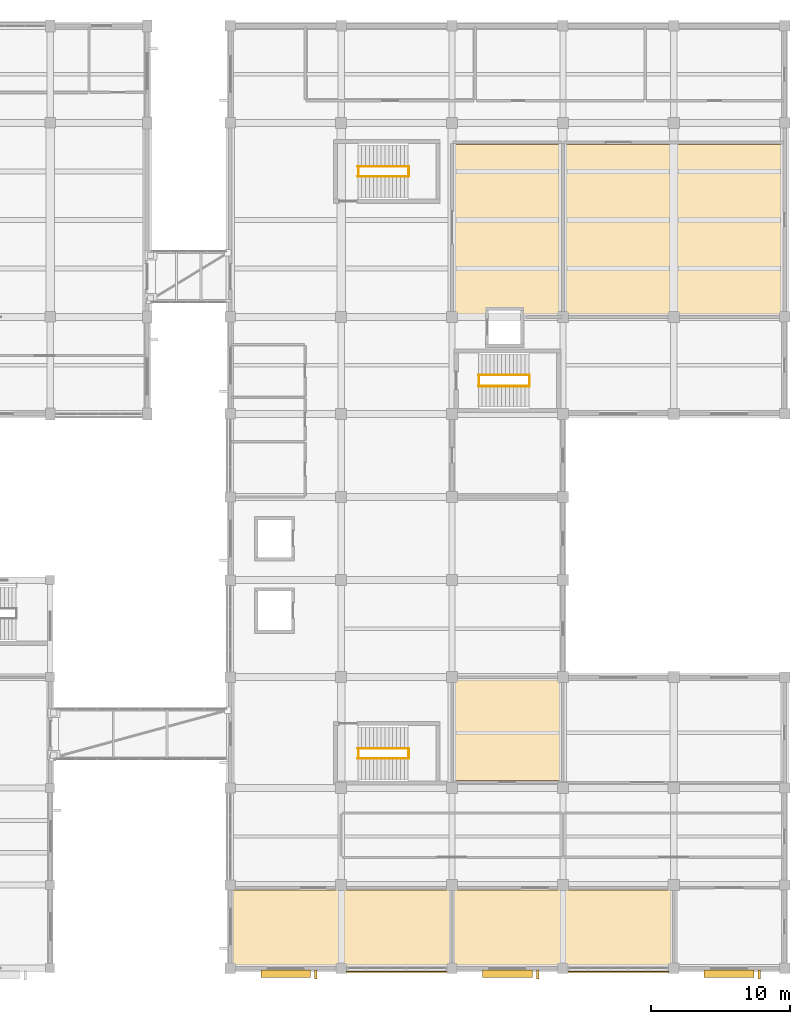
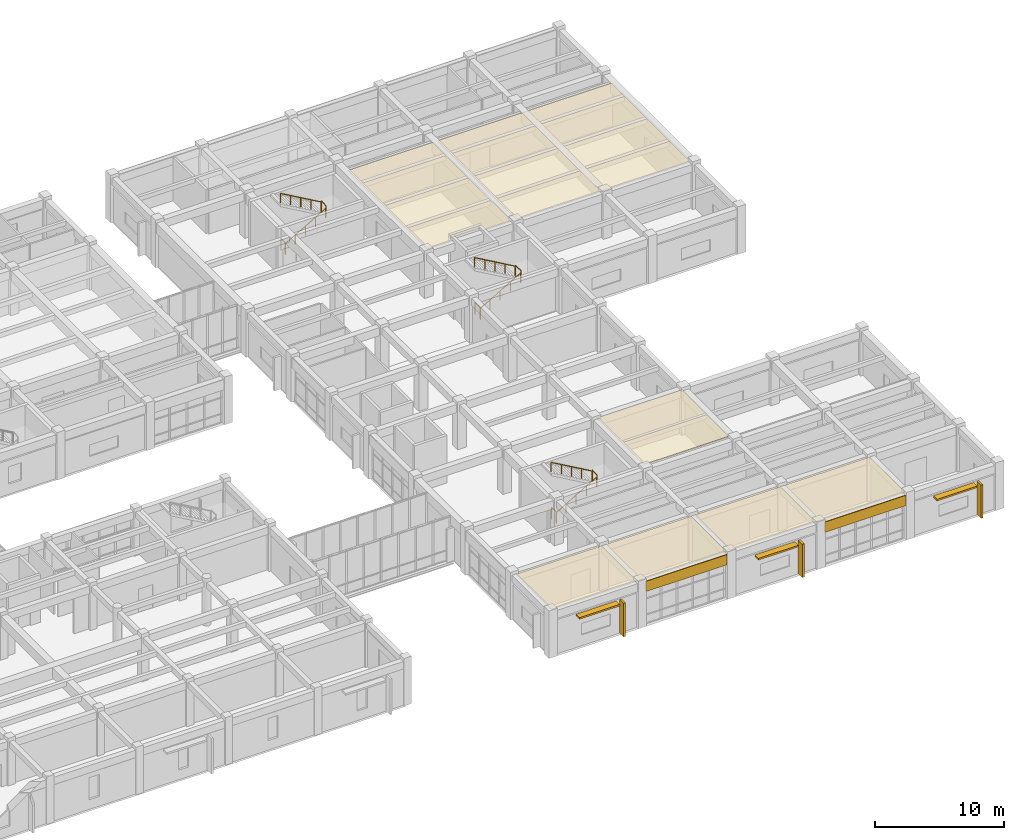
# One storey, part 69 of 70: 12 railings, 7 coverings, 6 shading devices.
"""IFC4 building model written with IfcOpenShell, lengths in metres."""

from ifc_helpers import new_model, si_unit, direction, frame, origin, origin_2d, place, context, subcontext, project, spatial, polyline, rectangle, circle, outline, extrude, material, layer, layer_set, type_object, element, save


model = new_model("IFC4")

# Units and contexts
model_context = context("Model", 3, precision=1e-05, world=origin(), true_north=direction((0.0, 1.0)))
body_context = subcontext(model_context, "Body", "Model", "MODEL_VIEW")
ifc_project = project(units=[si_unit("LENGTHUNIT", "METRE"), si_unit("AREAUNIT", "SQUARE_METRE"), si_unit("VOLUMEUNIT", "CUBIC_METRE"), si_unit("PLANEANGLEUNIT", "RADIAN"), si_unit("MASSUNIT", "GRAM", prefix="KILO")], contexts=[model_context])

# Site, building, storey
site_placement = place(None, origin())
site = spatial("IfcSite", under=ifc_project, at=site_placement, CompositionType="ELEMENT")
building_placement = place(site_placement, origin())
building = spatial("IfcBuilding", under=site, at=building_placement, Name="Naurynzar Civic Courthouse", CompositionType="ELEMENT")
storey_placement = place(building_placement, frame((0.0, 0.0, 5.39990234375)))
storey = spatial("IfcBuildingStorey", under=building, at=storey_placement, Name="L02", CompositionType="ELEMENT", Elevation=5.39990234375)

# Coverings
ifc_material_1 = material(Name="Acoustic Oak Timber Grade A", Category="wood")
ifc_layer_1 = layer(ifc_material_1, 0.044921875)
ifc_layer_set_1 = layer_set([ifc_layer_1], Name="CEIL-ACOUSTIC-OAK-45")
covering_type_1 = type_object("IfcCoveringType", Name="CEIL-ACOUSTIC-OAK-45", PredefinedType="CEILING", material=ifc_layer_set_1)
covering_1_placement = place(storey_placement, frame((0.0, 0.0, 4.114990234375)))
element("IfcCovering", 1, at=covering_1_placement, inside=storey, type_object=covering_type_1, Name="Acoustic suspended ceiling Criminal Jury Courtroom L02-S1", PredefinedType="CEILING", context=body_context, shape_type="SweptSolid", body=[
    extrude(outline(polyline([(130.159912109375, 4.159912109375), (130.159912109375, 9.639892578125), (145.840087890625, 9.639892578125), (145.840087890625, 4.159912109375), (130.159912109375, 4.159912109375)])), origin(), (0.0, 0.0, 1.0), 0.045166015625),
])
covering_2_placement = place(storey_placement, frame((0.0, 0.0, 4.114990234375)))
element("IfcCovering", 2, at=covering_2_placement, inside=storey, type_object=covering_type_1, Name="Acoustic suspended ceiling Criminal Trial Courtroom L02-S2", PredefinedType="CEILING", context=body_context, shape_type="SweptSolid", body=[
    extrude(outline(polyline([(146.159912109375, 4.159912109375), (146.159912109375, 9.639892578125), (161.840087890625, 9.639892578125), (161.840087890625, 4.159912109375), (146.159912109375, 4.159912109375)])), origin(), (0.0, 0.0, 1.0), 0.045166015625),
])
covering_3_placement = place(storey_placement, frame((0.0, 0.0, 4.114990234375)))
element("IfcCovering", 3, at=covering_3_placement, inside=storey, type_object=covering_type_1, Name="Acoustic suspended ceiling Criminal Trial Courtroom L02-N1", PredefinedType="CEILING", context=body_context, shape_type="SweptSolid", body=[
    extrude(outline(polyline([(151.070068359375, 51.159912109375), (151.070068359375, 51.570068359375), (148.530029296875, 51.570068359375), (148.530029296875, 51.159912109375), (146.159912109375, 51.159912109375), (146.159912109375, 63.43994140625), (153.840087890625, 63.43994140625), (153.840087890625, 51.159912109375), (151.070068359375, 51.159912109375)])), origin(), (0.0, 0.0, 1.0), 0.045166015625),
])
covering_4_placement = place(storey_placement, frame((0.0, 0.0, 4.114990234375)))
element("IfcCovering", 4, at=covering_4_placement, inside=storey, type_object=covering_type_1, Name="Acoustic suspended ceiling Criminal Trial Courtroom L02-N2", PredefinedType="CEILING", context=body_context, shape_type="SweptSolid", body=[
    extrude(outline(polyline([(154.159912109375, 51.159912109375), (154.159912109375, 63.43994140625), (169.840087890625, 63.43994140625), (169.840087890625, 51.159912109375), (154.159912109375, 51.159912109375)])), origin(), (0.0, 0.0, 1.0), 0.045166015625),
])
ifc_material_2 = material(Name="Mineral Fibre Acoustic Ceiling")
ifc_layer_2 = layer(ifc_material_2, 0.030029296875)
ifc_layer_set_2 = layer_set([ifc_layer_2], Name="CEIL-MINERAL-30")
covering_type_2 = type_object("IfcCoveringType", Name="CEIL-MINERAL-30", PredefinedType="CEILING", material=ifc_layer_set_2)
covering_5_placement = place(storey_placement, frame((0.0, 0.0, 4.114990234375)))
element("IfcCovering", 5, at=covering_5_placement, inside=storey, type_object=covering_type_2, Name="Acoustic suspended ceiling Jury Room L02-S", PredefinedType="CEILING", context=body_context, shape_type="SweptSolid", body=[
    extrude(outline(polyline([(146.159912109375, 17.56005859375), (146.159912109375, 24.840087890625), (153.840087890625, 24.840087890625), (153.840087890625, 17.56005859375), (146.159912109375, 17.56005859375)])), origin(), (0.0, 0.0, 1.0), 0.030029296875),
])
ifc_material_3 = material(Name="Precast concrete C40/50", Category="concrete")
ifc_layer_3 = layer(ifc_material_3, 0.080078125)
ifc_layer_set_3 = layer_set([ifc_layer_3], Name="COV-CLAD-PRECAST-80")
covering_type_3 = type_object("IfcCoveringType", Name="COV-CLAD-PRECAST-80", PredefinedType="CLADDING", material=ifc_layer_set_3)
for number, where, z_axis, x_axis, name in (
    (6, (158.0, 3.7451171875, 3.22998046875), (0.0, 0.0, 1.0), (-1.0, 0.0, 0.0), "V5 precast spandrel cladding 88"),
    (7, (142.0, 3.7451171875, 3.22998046875), (0.0, 0.0, 1.0), (-1.0, 0.0, 0.0), "V5 precast spandrel cladding 89"),
):
    element("IfcCovering", number, at=place(storey_placement, frame(where, z_axis=z_axis, x_axis=x_axis)), inside=storey, type_object=covering_type_3, Name=name, PredefinedType="CLADDING", context=body_context, shape_type="SweptSolid", body=[
        extrude(rectangle(XDim=7.25, YDim=0.080078125, at=origin_2d()), origin(), (0.0, 0.0, 1.0), 0.969970703125),
    ])

# Railings
ifc_material_4 = material(Name="Brushed Stainless Steel 304", Category="steel")
railing_type_1 = type_object("IfcRailingType", Name="RAIL-BAL-1100", PredefinedType="BALUSTRADE", material=ifc_material_4)
for number, where, name in (
    (8, (139.239990234375, 19.139892578125, 0.0), "Stair ST-V5A floor well slot guard L02"),
    (9, (142.8798828125, 19.139892578125, 2.25), "Stair ST-V5A-L02 half-landing well guard"),
    (10, (139.239990234375, 61.139892578125, 0.0), "Stair ST-V5B floor well slot guard L02"),
    (11, (142.8798828125, 61.139892578125, 2.25), "Stair ST-V5B-L02 half-landing well guard"),
):
    element("IfcRailing", number, at=place(storey_placement, frame(where)), inside=storey, type_object=railing_type_1, Name=name, PredefinedType="BALUSTRADE", context=body_context, shape_type="SweptSolid", body=[
        extrude(circle(Radius=0.02392578125, at=origin_2d()), frame((0.0, 0.0, 1.09619140625), z_axis=(0.0, 1.0, 0.0), x_axis=(-1.0, 0.0, 0.0)), (0.0, 0.0, 1.0), 0.72021484375),
        extrude(circle(Radius=0.02099609375, at=origin_2d()), origin(), (0.0, 0.0, 1.0), 1.072021484375),
        extrude(circle(Radius=0.02099609375, at=origin_2d()), frame((0.0, 0.72021484375, 0.0)), (0.0, 0.0, 1.0), 1.072021484375),
    ])
for number, where, name in (
    (12, (147.93994140625, 45.989990234375, 0.0), "Stair ST-CUS floor well slot guard L02"),
    (13, (151.580078125, 45.989990234375, 2.25), "Stair ST-CUS-L02 half-landing well guard"),
):
    element("IfcRailing", number, at=place(storey_placement, frame(where)), inside=storey, type_object=railing_type_1, Name=name, PredefinedType="BALUSTRADE", context=body_context, shape_type="SweptSolid", body=[
        extrude(circle(Radius=0.02392578125, at=origin_2d()), frame((0.0, 0.0, 1.09619140625), z_axis=(0.0, 1.0, 0.0), x_axis=(-1.0, 0.0, 0.0)), (0.0, 0.0, 1.0), 0.820068359375),
        extrude(circle(Radius=0.02099609375, at=origin_2d()), origin(), (0.0, 0.0, 1.0), 1.072021484375),
        extrude(circle(Radius=0.02099609375, at=origin_2d()), frame((0.0, 0.820068359375, 0.0)), (0.0, 0.0, 1.0), 1.072021484375),
    ])
ifc_material_5 = material(Name="Brushed Stainless Steel 304", Category="steel")
railing_type_2 = type_object("IfcRailingType", Name="RAIL-HR-900", PredefinedType="HANDRAIL", material=ifc_material_5)
railing_1_placement = place(storey_placement, frame((139.199951171875, 19.139892578125, 0.160888671875)))
element("IfcRailing", 14, at=railing_1_placement, inside=storey, type_object=railing_type_2, Name="Stair ST-V5A-L02 flight 1 handrail", PredefinedType="HANDRAIL", context=body_context, shape_type="SweptSolid", body=[
    extrude(circle(Radius=0.02392578125, at=origin_2d()), frame((0.0, 0.0, 0.8759765625), z_axis=(0.867314486057, 0.0, 0.497760567216), x_axis=(0.0, 1.0, 0.0)), (0.0, 0.0, 1.0), 4.197021484375),
    extrude(circle(Radius=0.02099609375, at=origin_2d()), origin(), (0.0, 0.0, 1.0), 0.851806640625),
    extrude(circle(Radius=0.02099609375, at=origin_2d()), frame((0.91015625, 0.0, 0.522216796875)), (0.0, 0.0, 1.0), 0.851806640625),
    extrude(circle(Radius=0.02099609375, at=origin_2d()), frame((1.820068359375, 0.0, 1.04443359375)), (0.0, 0.0, 1.0), 0.851806640625),
    extrude(circle(Radius=0.02099609375, at=origin_2d()), frame((2.72998046875, 0.0, 1.56689453125)), (0.0, 0.0, 1.0), 0.851806640625),
    extrude(circle(Radius=0.02099609375, at=origin_2d()), frame((3.64013671875, 0.0, 2.089111328125)), (0.0, 0.0, 1.0), 0.851806640625),
])
railing_2_placement = place(storey_placement, frame((142.840087890625, 19.860107421875, 2.410888671875)))
element("IfcRailing", 15, at=railing_2_placement, inside=storey, type_object=railing_type_2, Name="Stair ST-V5A-L02 flight 2 handrail", PredefinedType="HANDRAIL", context=body_context, shape_type="SweptSolid", body=[
    extrude(circle(Radius=0.02392578125, at=origin_2d()), frame((0.0, 0.0, 0.8759765625), z_axis=(-0.867314486057, 0.0, 0.497760567216), x_axis=(0.0, -1.0, 0.0)), (0.0, 0.0, 1.0), 4.197021484375),
    extrude(circle(Radius=0.02099609375, at=origin_2d()), origin(), (0.0, 0.0, 1.0), 0.851806640625),
    extrude(circle(Radius=0.02099609375, at=origin_2d()), frame((-0.91015625, 0.0, 0.522216796875)), (0.0, 0.0, 1.0), 0.851806640625),
    extrude(circle(Radius=0.02099609375, at=origin_2d()), frame((-1.820068359375, 0.0, 1.04443359375)), (0.0, 0.0, 1.0), 0.851806640625),
    extrude(circle(Radius=0.02099609375, at=origin_2d()), frame((-2.72998046875, 0.0, 1.56689453125)), (0.0, 0.0, 1.0), 0.851806640625),
    extrude(circle(Radius=0.02099609375, at=origin_2d()), frame((-3.64013671875, 0.0, 2.089111328125)), (0.0, 0.0, 1.0), 0.851806640625),
])
railing_3_placement = place(storey_placement, frame((139.199951171875, 61.139892578125, 0.160888671875)))
element("IfcRailing", 16, at=railing_3_placement, inside=storey, type_object=railing_type_2, Name="Stair ST-V5B-L02 flight 1 handrail", PredefinedType="HANDRAIL", context=body_context, shape_type="SweptSolid", body=[
    extrude(circle(Radius=0.02392578125, at=origin_2d()), frame((0.0, 0.0, 0.8759765625), z_axis=(0.867314486057, 0.0, 0.497760567216), x_axis=(0.0, 1.0, 0.0)), (0.0, 0.0, 1.0), 4.197021484375),
    extrude(circle(Radius=0.02099609375, at=origin_2d()), origin(), (0.0, 0.0, 1.0), 0.851806640625),
    extrude(circle(Radius=0.02099609375, at=origin_2d()), frame((0.91015625, 0.0, 0.522216796875)), (0.0, 0.0, 1.0), 0.851806640625),
    extrude(circle(Radius=0.02099609375, at=origin_2d()), frame((1.820068359375, 0.0, 1.04443359375)), (0.0, 0.0, 1.0), 0.851806640625),
    extrude(circle(Radius=0.02099609375, at=origin_2d()), frame((2.72998046875, 0.0, 1.56689453125)), (0.0, 0.0, 1.0), 0.851806640625),
    extrude(circle(Radius=0.02099609375, at=origin_2d()), frame((3.64013671875, 0.0, 2.089111328125)), (0.0, 0.0, 1.0), 0.851806640625),
])
railing_4_placement = place(storey_placement, frame((142.840087890625, 61.860107421875, 2.410888671875)))
element("IfcRailing", 17, at=railing_4_placement, inside=storey, type_object=railing_type_2, Name="Stair ST-V5B-L02 flight 2 handrail", PredefinedType="HANDRAIL", context=body_context, shape_type="SweptSolid", body=[
    extrude(circle(Radius=0.02392578125, at=origin_2d()), frame((0.0, 0.0, 0.8759765625), z_axis=(-0.867314486057, 0.0, 0.497760567216), x_axis=(0.0, -1.0, 0.0)), (0.0, 0.0, 1.0), 4.197021484375),
    extrude(circle(Radius=0.02099609375, at=origin_2d()), origin(), (0.0, 0.0, 1.0), 0.851806640625),
    extrude(circle(Radius=0.02099609375, at=origin_2d()), frame((-0.91015625, 0.0, 0.522216796875)), (0.0, 0.0, 1.0), 0.851806640625),
    extrude(circle(Radius=0.02099609375, at=origin_2d()), frame((-1.820068359375, 0.0, 1.04443359375)), (0.0, 0.0, 1.0), 0.851806640625),
    extrude(circle(Radius=0.02099609375, at=origin_2d()), frame((-2.72998046875, 0.0, 1.56689453125)), (0.0, 0.0, 1.0), 0.851806640625),
    extrude(circle(Radius=0.02099609375, at=origin_2d()), frame((-3.64013671875, 0.0, 2.089111328125)), (0.0, 0.0, 1.0), 0.851806640625),
])
railing_5_placement = place(storey_placement, frame((147.89990234375, 45.989990234375, 0.160888671875)))
element("IfcRailing", 18, at=railing_5_placement, inside=storey, type_object=railing_type_2, Name="Stair ST-CUS-L02 flight 1 handrail", PredefinedType="HANDRAIL", context=body_context, shape_type="SweptSolid", body=[
    extrude(circle(Radius=0.02392578125, at=origin_2d()), frame((0.0, 0.0, 0.8759765625), z_axis=(0.867314486057, 0.0, 0.497760567216), x_axis=(0.0, 1.0, 0.0)), (0.0, 0.0, 1.0), 4.197021484375),
    extrude(circle(Radius=0.02099609375, at=origin_2d()), origin(), (0.0, 0.0, 1.0), 0.851806640625),
    extrude(circle(Radius=0.02099609375, at=origin_2d()), frame((0.91015625, 0.0, 0.522216796875)), (0.0, 0.0, 1.0), 0.851806640625),
    extrude(circle(Radius=0.02099609375, at=origin_2d()), frame((1.820068359375, 0.0, 1.04443359375)), (0.0, 0.0, 1.0), 0.851806640625),
    extrude(circle(Radius=0.02099609375, at=origin_2d()), frame((2.72998046875, 0.0, 1.56689453125)), (0.0, 0.0, 1.0), 0.851806640625),
    extrude(circle(Radius=0.02099609375, at=origin_2d()), frame((3.64013671875, 0.0, 2.089111328125)), (0.0, 0.0, 1.0), 0.851806640625),
])
railing_6_placement = place(storey_placement, frame((151.5400390625, 46.81005859375, 2.410888671875)))
element("IfcRailing", 19, at=railing_6_placement, inside=storey, type_object=railing_type_2, Name="Stair ST-CUS-L02 flight 2 handrail", PredefinedType="HANDRAIL", context=body_context, shape_type="SweptSolid", body=[
    extrude(circle(Radius=0.02392578125, at=origin_2d()), frame((0.0, 0.0, 0.8759765625), z_axis=(-0.867314486057, 0.0, 0.497760567216), x_axis=(0.0, -1.0, 0.0)), (0.0, 0.0, 1.0), 4.197021484375),
    extrude(circle(Radius=0.02099609375, at=origin_2d()), origin(), (0.0, 0.0, 1.0), 0.851806640625),
    extrude(circle(Radius=0.02099609375, at=origin_2d()), frame((-0.91015625, 0.0, 0.522216796875)), (0.0, 0.0, 1.0), 0.851806640625),
    extrude(circle(Radius=0.02099609375, at=origin_2d()), frame((-1.820068359375, 0.0, 1.04443359375)), (0.0, 0.0, 1.0), 0.851806640625),
    extrude(circle(Radius=0.02099609375, at=origin_2d()), frame((-2.72998046875, 0.0, 1.56689453125)), (0.0, 0.0, 1.0), 0.851806640625),
    extrude(circle(Radius=0.02099609375, at=origin_2d()), frame((-3.64013671875, 0.0, 2.089111328125)), (0.0, 0.0, 1.0), 0.851806640625),
])

# Shading devices
ifc_material_6 = material(Name="Precast concrete C40/50", Category="concrete")
shading_device_type_1 = type_object("IfcShadingDeviceType", Name="SHD-FIN-V650", PredefinedType="JALOUSIE", material=ifc_material_6)
for number, where, z_axis, x_axis, name in (
    (20, (168.175048828125, 3.550048828125, 0.0400390625), (0.0, 0.0, 1.0), (-1.0, 0.0, 0.0), "V5 vertical brise-soleil fin 76"),
    (21, (152.175048828125, 3.550048828125, 0.0400390625), (0.0, 0.0, 1.0), (-1.0, 0.0, 0.0), "V5 vertical brise-soleil fin 77"),
    (22, (136.175048828125, 3.550048828125, 0.0400390625), (0.0, 0.0, 1.0), (-1.0, 0.0, 0.0), "V5 vertical brise-soleil fin 78"),
):
    element("IfcShadingDevice", number, at=place(storey_placement, frame(where, z_axis=z_axis, x_axis=x_axis)), inside=storey, type_object=shading_device_type_1, Name=name, PredefinedType="JALOUSIE", context=body_context, shape_type="SweptSolid", body=[
        extrude(rectangle(XDim=0.179931640625, YDim=0.64990234375, at=origin_2d()), origin(), (0.0, 0.0, 1.0), 3.14990234375),
    ])
ifc_material_7 = material(Name="Precast concrete C40/50", Category="concrete")
shading_device_type_2 = type_object("IfcShadingDeviceType", Name="SHD-LOUV-H550", PredefinedType="SHUTTER", material=ifc_material_7)
for number, where, z_axis, x_axis, name in (
    (23, (166.0, 3.60009765625, 2.990234375), (0.0, 0.0, 1.0), (-1.0, 0.0, 0.0), "V5 horizontal solar sun-breaker 76"),
    (24, (150.0, 3.60009765625, 2.990234375), (0.0, 0.0, 1.0), (-1.0, 0.0, 0.0), "V5 horizontal solar sun-breaker 77"),
    (25, (134.0, 3.60009765625, 2.990234375), (0.0, 0.0, 1.0), (-1.0, 0.0, 0.0), "V5 horizontal solar sun-breaker 78"),
):
    element("IfcShadingDevice", number, at=place(storey_placement, frame(where, z_axis=z_axis, x_axis=x_axis)), inside=storey, type_object=shading_device_type_2, Name=name, PredefinedType="SHUTTER", context=body_context, shape_type="SweptSolid", body=[
        extrude(rectangle(XDim=3.60009765625, YDim=0.550048828125, at=origin_2d()), origin(), (0.0, 0.0, 1.0), 0.159912109375),
    ])

save(model, "model.ifc")
